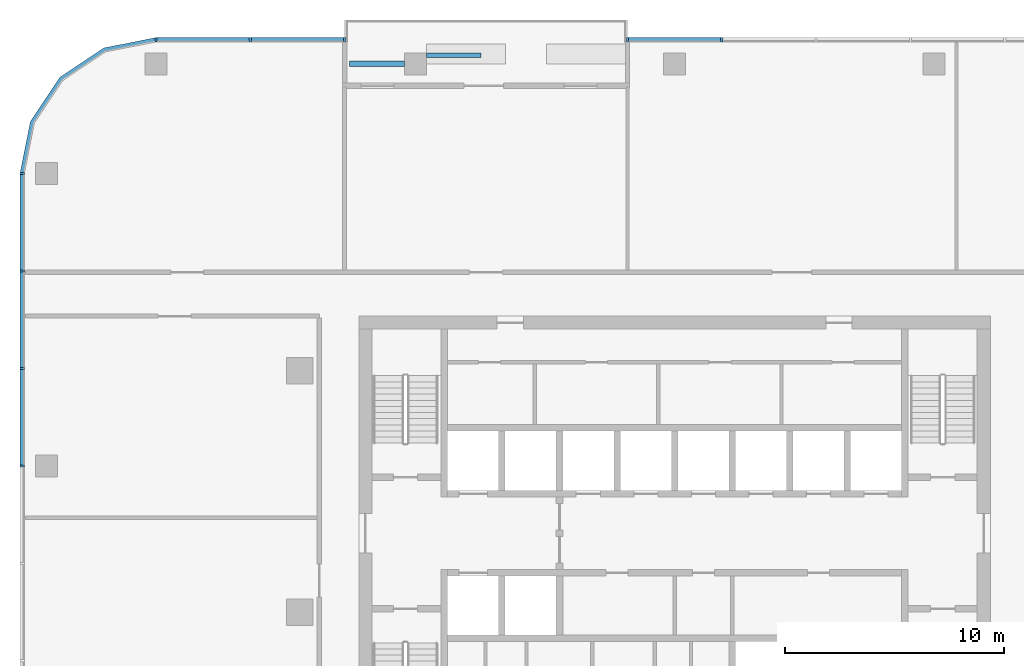
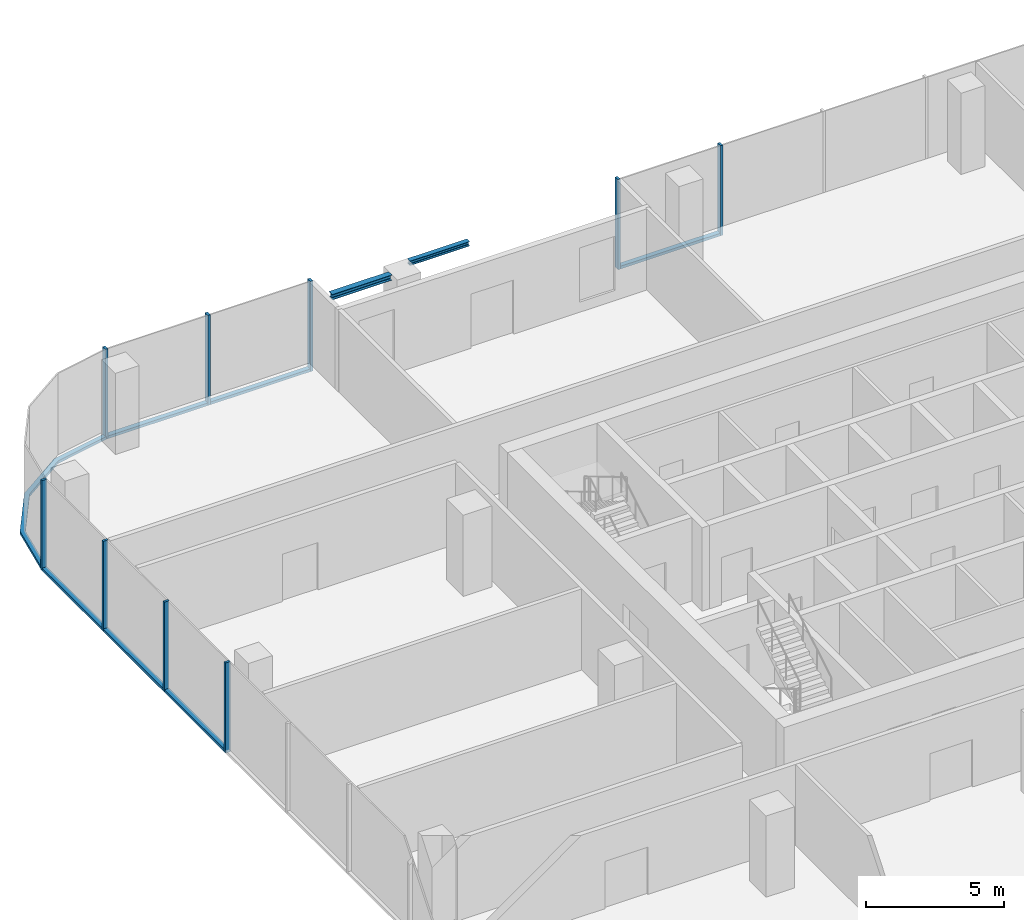
# One storey, part 4 of 13: 16 members, 2 beams, 4 elements without a shape of their own.
"""IFC4 building model written with IfcOpenShell, lengths in metres."""

from ifc_helpers import new_model, si_unit, direction, frame, origin, origin_2d, place, context, subcontext, project, spatial, polyline, rectangle, i_section, outline, extrude, material, material_profile, profile_set, type_object, element, aggregate, save


model = new_model("IFC4")

# Units and contexts
model_context = context("Model", 3, precision=1e-05, world=origin(), true_north=direction((0.0, 1.0)))
body_context = subcontext(model_context, "Body", "Model", "MODEL_VIEW")
ifc_project = project(units=[si_unit("LENGTHUNIT", "METRE"), si_unit("AREAUNIT", "SQUARE_METRE"), si_unit("VOLUMEUNIT", "CUBIC_METRE"), si_unit("PLANEANGLEUNIT", "RADIAN"), si_unit("MASSUNIT", "GRAM", prefix="KILO")], contexts=[model_context])

# Site, building, storey
site_placement = place(None, origin())
site = spatial("IfcSite", under=ifc_project, at=site_placement, CompositionType="ELEMENT")
building_placement = place(site_placement, origin())
building = spatial("IfcBuilding", under=site, at=building_placement, Name="Mopane Tessera Tower", CompositionType="ELEMENT")
storey_placement = place(building_placement, frame((0.0, 0.0, 307.39990234375)))
storey = spatial("IfcBuildingStorey", under=building, at=storey_placement, Name="L67", CompositionType="ELEMENT", Elevation=307.39990234375)

# Curtain wall, members
ifc_material_1 = material(Name="Aluminium frame", Category="aluminium")
curtain_wall_type = type_object("IfcCurtainWallType", Name="Unitised curtain wall", PredefinedType="NOTDEFINED", material=ifc_material_1)
curtain_wall_1_placement = place(storey_placement, origin())
curtain_wall_1 = element("IfcCurtainWall", 1, at=curtain_wall_1_placement, inside=storey, type_object=curtain_wall_type, Name="e:cw:L67:N:0", PredefinedType="NOTDEFINED")
ifc_material_2 = material(Name="Aluminium frame", Category="aluminium")
ifc_material_profile_1 = material_profile(ifc_material_2, rectangle(XDim=0.10009765625, YDim=0.199951171875, at=origin_2d()))
ifc_profile_set_1 = profile_set([ifc_material_profile_1], Name="Aluminium frame")
member_type_1 = type_object("IfcMemberType", Name="Aluminium mullion 100 x 200", PredefinedType="MULLION", material=ifc_profile_set_1)
member_1_placement = place(storey_placement, frame((2.14990234375, 26.10009765625, -0.39990234375), z_axis=(0.0, 0.0, 1.0), x_axis=(-1.0, 0.0, 0.0)))
member_1 = element("IfcMember", 2, at=member_1_placement, type_object=member_type_1, Name="e:cw:L67:N:0:mu5", PredefinedType="MULLION", context=body_context, shape_type="SweptSolid", body=[
    extrude(rectangle(XDim=0.10009765625, YDim=0.199951171875, at=origin_2d()), origin(), (0.0, 0.0, 1.0), 4.0),
])
member_2_placement = place(storey_placement, frame((-2.14990234375, 26.10009765625, -0.39990234375), z_axis=(0.0, 0.0, 1.0), x_axis=(-1.0, 0.0, 0.0)))
member_2 = element("IfcMember", 3, at=member_2_placement, type_object=member_type_1, Name="e:cw:L67:N:0:mu6", PredefinedType="MULLION", context=body_context, shape_type="SweptSolid", body=[
    extrude(rectangle(XDim=0.10009765625, YDim=0.199951171875, at=origin_2d()), origin(), (0.0, 0.0, 1.0), 4.0),
])

curtain_wall_2_placement = place(storey_placement, origin())
curtain_wall_2 = element("IfcCurtainWall", 4, at=curtain_wall_2_placement, inside=storey, type_object=curtain_wall_type, Name="e:cw:L67:N:9", PredefinedType="NOTDEFINED")
member_3_placement = place(storey_placement, frame((-15.050048828125, 26.10009765625, -0.39990234375), z_axis=(0.0, 0.0, 1.0), x_axis=(-1.0, 0.0, 0.0)))
member_3 = element("IfcMember", 5, at=member_3_placement, type_object=member_type_1, Name="e:cw:L67:N:9:mu9", PredefinedType="MULLION", context=body_context, shape_type="SweptSolid", body=[
    extrude(rectangle(XDim=0.10009765625, YDim=0.199951171875, at=origin_2d()), origin(), (0.0, 0.0, 1.0), 4.0),
])
member_4_placement = place(storey_placement, frame((-19.35009765625, 26.10009765625, -0.39990234375), z_axis=(0.0, 0.0, 1.0), x_axis=(-1.0, 0.0, 0.0)))
member_4 = element("IfcMember", 6, at=member_4_placement, type_object=member_type_1, Name="e:cw:L67:N:9:mu10", PredefinedType="MULLION", context=body_context, shape_type="SweptSolid", body=[
    extrude(rectangle(XDim=0.10009765625, YDim=0.199951171875, at=origin_2d()), origin(), (0.0, 0.0, 1.0), 4.0),
])
member_5_placement = place(storey_placement, frame((-23.64990234375, 26.10009765625, -0.39990234375), z_axis=(0.0, 0.0, 1.0), x_axis=(-1.0, 0.0, 0.0)))
member_5 = element("IfcMember", 7, at=member_5_placement, type_object=member_type_1, Name="e:cw:L67:N:9:mu11", PredefinedType="MULLION", context=body_context, shape_type="SweptSolid", body=[
    extrude(rectangle(XDim=0.10009765625, YDim=0.199951171875, at=origin_2d()), origin(), (0.0, 0.0, 1.0), 4.0),
])

curtain_wall_3_placement = place(storey_placement, origin())
curtain_wall_3 = element("IfcCurtainWall", 8, at=curtain_wall_3_placement, inside=storey, type_object=curtain_wall_type, Name="e:cw:L67:W:0", PredefinedType="NOTDEFINED")
member_6_placement = place(storey_placement, frame((-29.75, 20.0, -0.39990234375), z_axis=(0.0, 0.0, 1.0), x_axis=(0.0, -1.0, 0.0)))
member_6 = element("IfcMember", 9, at=member_6_placement, type_object=member_type_1, Name="e:cw:L67:W:0:mu0", PredefinedType="MULLION", context=body_context, shape_type="SweptSolid", body=[
    extrude(rectangle(XDim=0.10009765625, YDim=0.199951171875, at=origin_2d()), origin(), (0.0, 0.0, 1.0), 4.0),
])
member_7_placement = place(storey_placement, frame((-29.75, 15.5556640625, -0.39990234375), z_axis=(0.0, 0.0, 1.0), x_axis=(0.0, -1.0, 0.0)))
member_7 = element("IfcMember", 10, at=member_7_placement, type_object=member_type_1, Name="e:cw:L67:W:0:mu1", PredefinedType="MULLION", context=body_context, shape_type="SweptSolid", body=[
    extrude(rectangle(XDim=0.10009765625, YDim=0.199951171875, at=origin_2d()), origin(), (0.0, 0.0, 1.0), 4.0),
])
member_8_placement = place(storey_placement, frame((-29.75, 11.111083984375, -0.39990234375), z_axis=(0.0, 0.0, 1.0), x_axis=(0.0, -1.0, 0.0)))
member_8 = element("IfcMember", 11, at=member_8_placement, type_object=member_type_1, Name="e:cw:L67:W:0:mu2", PredefinedType="MULLION", context=body_context, shape_type="SweptSolid", body=[
    extrude(rectangle(XDim=0.10009765625, YDim=0.199951171875, at=origin_2d()), origin(), (0.0, 0.0, 1.0), 4.0),
])
member_9_placement = place(storey_placement, frame((-29.75, 6.666748046875, -0.39990234375), z_axis=(0.0, 0.0, 1.0), x_axis=(0.0, -1.0, 0.0)))
member_9 = element("IfcMember", 12, at=member_9_placement, type_object=member_type_1, Name="e:cw:L67:W:0:mu3", PredefinedType="MULLION", context=body_context, shape_type="SweptSolid", body=[
    extrude(rectangle(XDim=0.10009765625, YDim=0.199951171875, at=origin_2d()), origin(), (0.0, 0.0, 1.0), 4.0),
])

# Member
ifc_material_3 = material(Name="Aluminium frame", Category="aluminium")
ifc_material_profile_2 = material_profile(ifc_material_3, rectangle(XDim=0.199951171875, YDim=0.1201171875, at=origin_2d()))
ifc_profile_set_2 = profile_set([ifc_material_profile_2], Name="Aluminium frame")
member_type_2 = type_object("IfcMemberType", Name="Aluminium transom 200 x 120", PredefinedType="USERDEFINED", material=ifc_profile_set_2)
member_10_placement = place(storey_placement, frame((2.10009765625, 26.10009765625, -0.33984375), z_axis=(-1.0, 0.0, 0.0), x_axis=(0.0, -1.0, 0.0)))
member_10 = element("IfcMember", 13, at=member_10_placement, type_object=member_type_2, Name="e:cw:L67:N:0:tr5", ObjectType="TRANSOM", PredefinedType="USERDEFINED", context=body_context, shape_type="SweptSolid", body=[
    extrude(rectangle(XDim=0.199951171875, YDim=0.1201171875, at=origin_2d()), origin(), (0.0, 0.0, 1.0), 4.2001953125),
])

aggregate(curtain_wall_1, [member_1, member_2, member_10])

member_11_placement = place(storey_placement, frame((-15.10009765625, 26.10009765625, -0.33984375), z_axis=(-1.0, 0.0, 0.0), x_axis=(0.0, -1.0, 0.0)))
member_11 = element("IfcMember", 14, at=member_11_placement, type_object=member_type_2, Name="e:cw:L67:N:9:tr9", ObjectType="TRANSOM", PredefinedType="USERDEFINED", context=body_context, shape_type="SweptSolid", body=[
    extrude(rectangle(XDim=0.199951171875, YDim=0.1201171875, at=origin_2d()), origin(), (0.0, 0.0, 1.0), 4.199951171875),
])

member_12_placement = place(storey_placement, frame((-19.39990234375, 26.10009765625, -0.33984375), z_axis=(-1.0, 0.0, 0.0), x_axis=(0.0, -1.0, 0.0)))
member_12 = element("IfcMember", 15, at=member_12_placement, type_object=member_type_2, Name="e:cw:L67:N:9:tr10", ObjectType="TRANSOM", PredefinedType="USERDEFINED", context=body_context, shape_type="SweptSolid", body=[
    extrude(rectangle(XDim=0.199951171875, YDim=0.1201171875, at=origin_2d()), origin(), (0.0, 0.0, 1.0), 4.2001953125),
])

aggregate(curtain_wall_2, [member_3, member_4, member_5, member_11, member_12])

# Curtain wall, member
curtain_wall_4_placement = place(storey_placement, origin())
curtain_wall_4 = element("IfcCurtainWall", 16, at=curtain_wall_4_placement, inside=storey, type_object=curtain_wall_type, Name="e:cw:L67:CN", PredefinedType="NOTDEFINED")
member_13_placement = place(storey_placement, frame((0.0, 0.0, -0.39990234375)))
member_13 = element("IfcMember", 17, at=member_13_placement, type_object=member_type_2, Name="e:cw:L67:CN:tr", ObjectType="TRANSOM", PredefinedType="USERDEFINED", context=body_context, shape_type="SweptSolid", body=[
    extrude(outline(polyline([(-23.64990234375, 26.0), (-25.946044921875, 25.543212890625), (-27.892578125, 24.24267578125), (-29.193359375, 22.296142578125), (-29.64990234375, 20.0), (-29.85009765625, 20.0), (-29.378173828125, 22.37255859375), (-28.0341796875, 24.384033203125), (-26.022705078125, 25.72802734375), (-23.64990234375, 26.199951171875), (-23.64990234375, 26.0)])), origin(), (0.0, 0.0, 1.0), 0.1201171875),
])
aggregate(curtain_wall_4, [member_13])

# Member
member_14_placement = place(storey_placement, frame((-29.75, 19.949951171875, -0.33984375), z_axis=(0.0, -1.0, 0.0), x_axis=(1.0, 0.0, 0.0)))
member_14 = element("IfcMember", 18, at=member_14_placement, type_object=member_type_2, Name="e:cw:L67:W:0:tr0", ObjectType="TRANSOM", PredefinedType="USERDEFINED", context=body_context, shape_type="SweptSolid", body=[
    extrude(rectangle(XDim=0.199951171875, YDim=0.1201171875, at=origin_2d()), origin(), (0.0, 0.0, 1.0), 4.344482421875),
])

member_15_placement = place(storey_placement, frame((-29.75, 15.505615234375, -0.33984375), z_axis=(0.0, -1.0, 0.0), x_axis=(1.0, 0.0, 0.0)))
member_15 = element("IfcMember", 19, at=member_15_placement, type_object=member_type_2, Name="e:cw:L67:W:0:tr1", ObjectType="TRANSOM", PredefinedType="USERDEFINED", context=body_context, shape_type="SweptSolid", body=[
    extrude(rectangle(XDim=0.199951171875, YDim=0.1201171875, at=origin_2d()), origin(), (0.0, 0.0, 1.0), 4.344482421875),
])

member_16_placement = place(storey_placement, frame((-29.75, 11.06103515625, -0.33984375), z_axis=(0.0, -1.0, 0.0), x_axis=(1.0, 0.0, 0.0)))
member_16 = element("IfcMember", 20, at=member_16_placement, type_object=member_type_2, Name="e:cw:L67:W:0:tr2", ObjectType="TRANSOM", PredefinedType="USERDEFINED", context=body_context, shape_type="SweptSolid", body=[
    extrude(rectangle(XDim=0.199951171875, YDim=0.1201171875, at=origin_2d()), origin(), (0.0, 0.0, 1.0), 4.344482421875),
])

aggregate(curtain_wall_3, [member_6, member_7, member_8, member_9, member_14, member_15, member_16])

# Beams
ifc_material_4 = material(Name="Structural steel S460", Category="steel")
ifc_material_profile_3 = material_profile(ifc_material_4, i_section(OverallWidth=0.239990234375, OverallDepth=0.239990234375, WebThickness=0.010009765625, FlangeThickness=0.01708984375, FilletRadius=0.02099609375, at=origin_2d()))
ifc_profile_set_3 = profile_set([ifc_material_profile_3], Name="Structural steel S460")
beam_type_1 = type_object("IfcBeamType", Name="Terrace spandrel beam HE 240 B", PredefinedType="SPANDREL", material=ifc_profile_set_3)
beam_1_placement = place(storey_placement, frame((-12.327880859375, 25.0, 3.47998046875), z_axis=(-1.0, 0.0, 0.0), x_axis=(0.0, -1.0, 0.0)))
element("IfcBeam", 21, at=beam_1_placement, inside=storey, type_object=beam_type_1, Name="Terrace spandrel beam N2 L68", PredefinedType="SPANDREL", context=body_context, shape_type="SweptSolid", body=[
    extrude(i_section(OverallWidth=0.239990234375, OverallDepth=0.239990234375, WebThickness=0.010009765625, FlangeThickness=0.01708984375, FilletRadius=0.02099609375, at=origin_2d()), origin(), (0.0, 0.0, 1.0), 2.5),
])
ifc_material_5 = material(Name="Structural steel S460", Category="steel")
ifc_material_profile_4 = material_profile(ifc_material_5, i_section(OverallWidth=0.199951171875, OverallDepth=0.199951171875, WebThickness=0.009033203125, FlangeThickness=0.014892578125, FilletRadius=0.01806640625, at=origin_2d()))
ifc_profile_set_4 = profile_set([ifc_material_profile_4], Name="Structural steel S460")
beam_type_2 = type_object("IfcBeamType", Name="Terrace trimmer beam HE 200 B", PredefinedType="BEAM", material=ifc_profile_set_4)
beam_2_placement = place(storey_placement, frame((-11.322021484375, 25.39990234375, 3.5), z_axis=(1.0, 0.0, 0.0), x_axis=(0.0, 1.0, 0.0)))
element("IfcBeam", 22, at=beam_2_placement, inside=storey, type_object=beam_type_2, Name="Terrace trimmer beam N2 L68", PredefinedType="BEAM", context=body_context, shape_type="SweptSolid", body=[
    extrude(i_section(OverallWidth=0.199951171875, OverallDepth=0.199951171875, WebThickness=0.009033203125, FlangeThickness=0.014892578125, FilletRadius=0.01806640625, at=origin_2d()), origin(), (0.0, 0.0, 1.0), 2.5),
])

save(model, "model.ifc")
